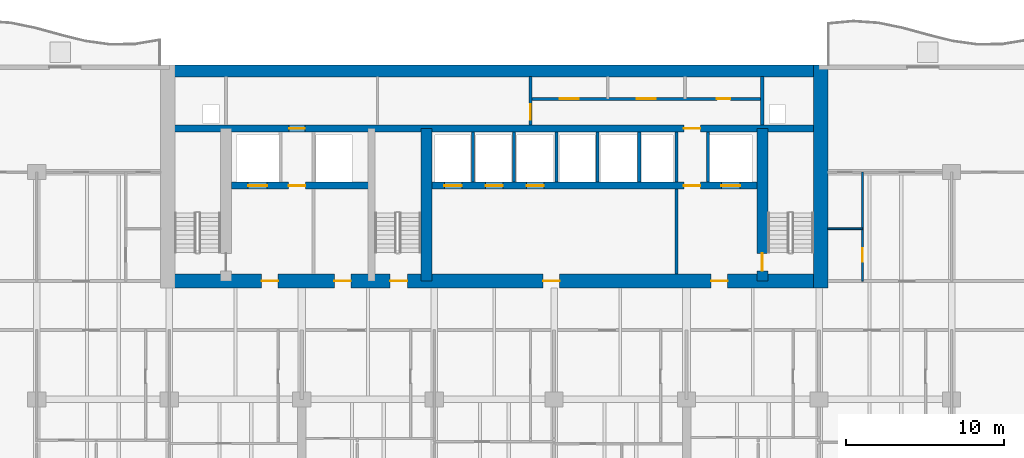
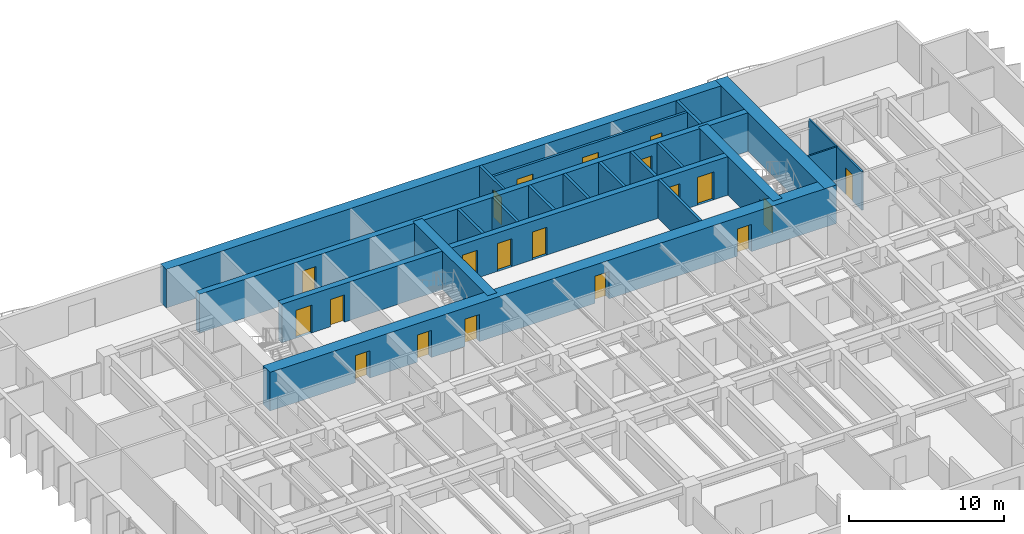
# One storey, part 11 of 17: 20 doors, 20 walls, 20 openings.
"""IFC4 building model written with IfcOpenShell, lengths in metres."""

from ifc_helpers import new_model, si_unit, direction, frame, frame_2d, origin, place, context, subcontext, project, spatial, rectangle, extrude, material, layer, layer_set, type_object, element, fill, save


model = new_model("IFC4")

# Units and contexts
model_context = context("Model", 3, precision=1e-05, world=origin(), true_north=direction((0.0, 1.0)))
body_context = subcontext(model_context, "Body", "Model", "MODEL_VIEW")
ifc_project = project(units=[si_unit("LENGTHUNIT", "METRE"), si_unit("AREAUNIT", "SQUARE_METRE"), si_unit("VOLUMEUNIT", "CUBIC_METRE"), si_unit("PLANEANGLEUNIT", "RADIAN"), si_unit("MASSUNIT", "GRAM", prefix="KILO")], contexts=[model_context])

# Site, building, storey
site_placement = place(None, origin())
site = spatial("IfcSite", under=ifc_project, at=site_placement, CompositionType="ELEMENT")
building_placement = place(site_placement, origin())
building = spatial("IfcBuilding", under=site, at=building_placement, Name="Caelmar Bay Residences", CompositionType="ELEMENT")
storey_placement = place(building_placement, frame((0.0, 0.0, 59.699951171875)))
storey = spatial("IfcBuildingStorey", under=building, at=storey_placement, Name="L15", CompositionType="ELEMENT", Elevation=59.699951171875)

# Wall, opening, door
ifc_material_1 = material(Name="Concrete f'c 55 MPa (8,000 psi)", Category="concrete")
ifc_layer_1 = layer(ifc_material_1, 0.699951171875)
ifc_layer_set_1 = layer_set([ifc_layer_1], Name="Concrete f'c 55 MPa (8,000 psi)")
wall_type_1 = type_object("IfcWallType", Name="SW-COR-700", PredefinedType="SHEAR", material=ifc_layer_set_1)
wall_1_placement = place(storey_placement, frame((55.89990234375, 36.89990234375, 0.0), z_axis=(0.0, 0.0, 1.0), x_axis=(0.0, 1.0, 0.0)))
wall_1 = element("IfcWall", 1, at=wall_1_placement, inside=storey, type_object=wall_type_1, Name="L15 Core Structural Web Wall ST2W", PredefinedType="SHEAR", context=body_context, shape_type="SweptSolid", body=[
    extrude(rectangle(XDim=9.675048828125, YDim=0.699951171875, at=frame_2d((4.83740234375, 0.0))), origin(), (0.0, 0.0, 1.0), 3.050048828125),
])
opening_1_placement = place(wall_1_placement, frame((0.64990234375, 0.0, 0.0)))
opening_1 = element("IfcOpeningElement", 2, at=opening_1_placement, cuts=wall_1, Name="Opening D-L15-111", PredefinedType="OPENING", context=body_context, shape_type="SweptSolid", body=[
    extrude(rectangle(XDim=1.10009765625, YDim=2.14990234375, at=frame_2d((0.550048828125, 1.074951171875))), frame((0.0, 0.35986328125, 0.0), z_axis=(0.0, -1.0, 0.0), x_axis=(1.0, 0.0, 0.0)), (0.0, 0.0, 1.0), 0.719970703125),
])
ifc_material_2 = material(Name="Fire-rated steel and walnut architectural door assembly", Category="steel")
ifc_layer_2 = layer(ifc_material_2, 0.050048828125)
ifc_layer_set_2 = layer_set([ifc_layer_2], Name="Fire-rated steel and walnut architectural door assembly")
door_type_1 = type_object("IfcDoorType", Name="D-STAIR-1100", OperationType="NOTDEFINED", PredefinedType="DOOR", material=ifc_layer_set_2)
door_1_placement = place(opening_1_placement, origin())
door_1 = element("IfcDoor", 3, at=door_1_placement, inside=storey, type_object=door_type_1, Name="L15 Firefighting Lobby East Door", OperationType="SINGLE_SWING_RIGHT", OverallHeight=2.14990234375, OverallWidth=1.10009765625, PredefinedType="DOOR", context=body_context, shape_type="SweptSolid", body=[
    extrude(rectangle(XDim=1.10009765625, YDim=2.14990234375, at=frame_2d((0.550048828125, 1.074951171875))), frame((0.0, 0.02490234375, 0.0), z_axis=(0.0, -1.0, 0.0), x_axis=(1.0, 0.0, 0.0)), (0.0, 0.0, 1.0), 0.050048828125),
])
fill(opening_1, door_1)

# Wall
wall_2_placement = place(storey_placement, frame((34.60009765625, 36.89990234375, 0.0), z_axis=(0.0, 0.0, 1.0), x_axis=(0.0, 1.0, 0.0)))
element("IfcWall", 4, at=wall_2_placement, inside=storey, type_object=wall_type_1, Name="L15 Core Structural Web Wall ST3E", PredefinedType="SHEAR", context=body_context, shape_type="SweptSolid", body=[
    extrude(rectangle(XDim=9.675048828125, YDim=0.699951171875, at=frame_2d((4.83740234375, 0.0))), origin(), (0.0, 0.0, 1.0), 3.050048828125),
])

# Wall, openings, doors
ifc_material_3 = material(Name="Concrete f'c 70 MPa (10,000 psi)", Category="concrete")
ifc_layer_3 = layer(ifc_material_3, 0.89990234375)
ifc_layer_set_3 = layer_set([ifc_layer_3], Name="Concrete f'c 70 MPa (10,000 psi)")
wall_type_2 = type_object("IfcWallType", Name="SW-COR-900", PredefinedType="SHEAR", material=ifc_layer_set_3)
wall_3_placement = place(storey_placement, frame((17.75, 36.89990234375, 0.0), z_axis=(0.0, 0.0, 1.0), x_axis=(1.0, 0.0, 0.0)))
wall_3 = element("IfcWall", 5, at=wall_3_placement, inside=storey, type_object=wall_type_2, Name="L15 Rear Core South Shear Wall", PredefinedType="SHEAR", context=body_context, shape_type="SweptSolid", body=[
    extrude(rectangle(XDim=42.300048828125, YDim=0.89990234375, at=frame_2d((21.14990234375, 0.0))), origin(), (0.0, 0.0, 1.0), 3.050048828125),
])
opening_2_placement = place(wall_3_placement, frame((14.550048828125, 0.0, 0.0)))
opening_2 = element("IfcOpeningElement", 6, at=opening_2_placement, cuts=wall_3, Name="Opening D-L15-106", PredefinedType="OPENING", context=body_context, shape_type="SweptSolid", body=[
    extrude(rectangle(XDim=1.10009765625, YDim=2.14990234375, at=frame_2d((0.550048828125, 1.074951171875))), frame((0.0, 0.4599609375, 0.0), z_axis=(0.0, -1.0, 0.0), x_axis=(1.0, 0.0, 0.0)), (0.0, 0.0, 1.0), 0.919921875),
])
opening_3_placement = place(wall_3_placement, frame((6.39990234375, 0.0, 0.0)))
opening_3 = element("IfcOpeningElement", 7, at=opening_3_placement, cuts=wall_3, Name="Opening D-L15-107", PredefinedType="OPENING", context=body_context, shape_type="SweptSolid", body=[
    extrude(rectangle(XDim=1.050048828125, YDim=2.14990234375, at=frame_2d((0.52490234375, 1.074951171875))), frame((0.0, 0.4599609375, 0.0), z_axis=(0.0, -1.0, 0.0), x_axis=(1.0, 0.0, 0.0)), (0.0, 0.0, 1.0), 0.919921875),
])
opening_4_placement = place(wall_3_placement, frame((34.89990234375, 0.0, 0.0)))
opening_4 = element("IfcOpeningElement", 8, at=opening_4_placement, cuts=wall_3, Name="Opening D-L15-110", PredefinedType="OPENING", context=body_context, shape_type="SweptSolid", body=[
    extrude(rectangle(XDim=1.050048828125, YDim=2.14990234375, at=frame_2d((0.52490234375, 1.074951171875))), frame((0.0, 0.4599609375, 0.0), z_axis=(0.0, -1.0, 0.0), x_axis=(1.0, 0.0, 0.0)), (0.0, 0.0, 1.0), 0.919921875),
])
opening_5_placement = place(wall_3_placement, frame((11.012451171875, 0.0, 0.0)))
opening_5 = element("IfcOpeningElement", 9, at=opening_5_placement, cuts=wall_3, Name="Opening D-L15-113", PredefinedType="OPENING", context=body_context, shape_type="SweptSolid", body=[
    extrude(rectangle(XDim=1.050048828125, YDim=2.14990234375, at=frame_2d((0.52490234375, 1.074951171875))), frame((0.0, 0.4599609375, 0.0), z_axis=(0.0, -1.0, 0.0), x_axis=(1.0, 0.0, 0.0)), (0.0, 0.0, 1.0), 0.919921875),
])
opening_6_placement = place(wall_3_placement, frame((24.25, 0.0, 0.0)))
opening_6 = element("IfcOpeningElement", 10, at=opening_6_placement, cuts=wall_3, Name="Opening D-L15-114", PredefinedType="OPENING", context=body_context, shape_type="SweptSolid", body=[
    extrude(rectangle(XDim=1.050048828125, YDim=2.14990234375, at=frame_2d((0.52490234375, 1.074951171875))), frame((0.0, 0.4599609375, 0.0), z_axis=(0.0, -1.0, 0.0), x_axis=(1.0, 0.0, 0.0)), (0.0, 0.0, 1.0), 0.919921875),
])
ifc_layer_4 = layer(ifc_material_2, 0.050048828125)
ifc_layer_set_4 = layer_set([ifc_layer_4], Name="Fire-rated steel and walnut architectural door assembly")
door_type_2 = type_object("IfcDoorType", Name="D-FSAE-1050", OperationType="NOTDEFINED", PredefinedType="DOOR", material=ifc_layer_set_4)
door_2_placement = place(opening_3_placement, origin())
door_2 = element("IfcDoor", 11, at=door_2_placement, inside=storey, type_object=door_type_2, Name="L15 Firefighting Lobby West Door", OperationType="SINGLE_SWING_RIGHT", OverallHeight=2.14990234375, OverallWidth=1.050048828125, PredefinedType="DOOR", context=body_context, shape_type="SweptSolid", body=[
    extrude(rectangle(XDim=1.050048828125, YDim=2.14990234375, at=frame_2d((0.52490234375, 1.074951171875))), frame((0.0, 0.02490234375, 0.0), z_axis=(0.0, -1.0, 0.0), x_axis=(1.0, 0.0, 0.0)), (0.0, 0.0, 1.0), 0.050048828125),
])
fill(opening_3, door_2)
door_3_placement = place(opening_4_placement, origin())
door_3 = element("IfcDoor", 12, at=door_3_placement, inside=storey, type_object=door_type_2, Name="L15 Firefighting Lobby East Door", OperationType="SINGLE_SWING_LEFT", OverallHeight=2.14990234375, OverallWidth=1.050048828125, PredefinedType="DOOR", context=body_context, shape_type="SweptSolid", body=[
    extrude(rectangle(XDim=1.050048828125, YDim=2.14990234375, at=frame_2d((0.52490234375, 1.074951171875))), frame((0.0, 0.02490234375, 0.0), z_axis=(0.0, -1.0, 0.0), x_axis=(1.0, 0.0, 0.0)), (0.0, 0.0, 1.0), 0.050048828125),
])
fill(opening_4, door_3)
door_4_placement = place(opening_5_placement, origin())
door_4 = element("IfcDoor", 13, at=door_4_placement, inside=storey, type_object=door_type_2, Name="L15 West Lift Lobby Door", OperationType="SINGLE_SWING_RIGHT", OverallHeight=2.14990234375, OverallWidth=1.050048828125, PredefinedType="DOOR", context=body_context, shape_type="SweptSolid", body=[
    extrude(rectangle(XDim=1.050048828125, YDim=2.14990234375, at=frame_2d((0.52490234375, 1.074951171875))), frame((0.0, 0.02490234375, 0.0), z_axis=(0.0, -1.0, 0.0), x_axis=(1.0, 0.0, 0.0)), (0.0, 0.0, 1.0), 0.050048828125),
])
fill(opening_5, door_4)
door_5_placement = place(opening_6_placement, origin())
door_5 = element("IfcDoor", 14, at=door_5_placement, inside=storey, type_object=door_type_2, Name="L15 Passenger Lift Lobby Door", OperationType="SINGLE_SWING_LEFT", OverallHeight=2.14990234375, OverallWidth=1.050048828125, PredefinedType="DOOR", context=body_context, shape_type="SweptSolid", body=[
    extrude(rectangle(XDim=1.050048828125, YDim=2.14990234375, at=frame_2d((0.52490234375, 1.074951171875))), frame((0.0, 0.02490234375, 0.0), z_axis=(0.0, -1.0, 0.0), x_axis=(1.0, 0.0, 0.0)), (0.0, 0.0, 1.0), 0.050048828125),
])
fill(opening_6, door_5)
door_6_placement = place(opening_2_placement, origin())
door_6 = element("IfcDoor", 15, at=door_6_placement, inside=storey, type_object=door_type_1, Name="L15 Exit Stair ST3 Door", OperationType="SINGLE_SWING_LEFT", OverallHeight=2.14990234375, OverallWidth=1.10009765625, PredefinedType="DOOR", context=body_context, shape_type="SweptSolid", body=[
    extrude(rectangle(XDim=1.10009765625, YDim=2.14990234375, at=frame_2d((0.550048828125, 1.074951171875))), frame((0.0, 0.02490234375, 0.0), z_axis=(0.0, -1.0, 0.0), x_axis=(1.0, 0.0, 0.0)), (0.0, 0.0, 1.0), 0.050048828125),
])
fill(opening_2, door_6)

# Walls
wall_4_placement = place(storey_placement, frame((59.60009765625, 36.449951171875, 0.0), z_axis=(0.0, 0.0, 1.0), x_axis=(0.0, 1.0, 0.0)))
element("IfcWall", 16, at=wall_4_placement, inside=storey, type_object=wall_type_2, Name="L15 Rear Core East Shear Wall", PredefinedType="SHEAR", context=body_context, shape_type="SweptSolid", body=[
    extrude(rectangle(XDim=14.150146484375, YDim=0.89990234375, at=frame_2d((7.0751953125, 0.0))), origin(), (0.0, 0.0, 1.0), 3.050048828125),
])
ifc_layer_5 = layer(ifc_material_3, 0.75)
ifc_layer_set_5 = layer_set([ifc_layer_5], Name="Concrete f'c 70 MPa (10,000 psi)")
wall_type_3 = type_object("IfcWallType", Name="SW-CORN-750", PredefinedType="SHEAR", material=ifc_layer_set_5)
wall_5_placement = place(storey_placement, frame((17.75, 50.22509765625, 0.0), z_axis=(0.0, 0.0, 1.0), x_axis=(1.0, 0.0, 0.0)))
element("IfcWall", 17, at=wall_5_placement, inside=storey, type_object=wall_type_3, Name="L15 Rear Core North Shear Wall", PredefinedType="SHEAR", context=body_context, shape_type="SweptSolid", body=[
    extrude(rectangle(XDim=42.300048828125, YDim=0.75, at=frame_2d((21.14990234375, 0.0))), origin(), (0.0, 0.0, 1.0), 3.050048828125),
])

# Wall, openings, doors
ifc_layer_6 = layer(ifc_material_3, 0.449951171875)
ifc_layer_set_6 = layer_set([ifc_layer_6], Name="Concrete f'c 70 MPa (10,000 psi)")
wall_type_4 = type_object("IfcWallType", Name="SW-WEB-450", PredefinedType="SHEAR", material=ifc_layer_set_6)
wall_6_placement = place(storey_placement, frame((22.25, 42.949951171875, 0.0), z_axis=(0.0, 0.0, 1.0), x_axis=(1.0, 0.0, 0.0)))
wall_6 = element("IfcWall", 18, at=wall_6_placement, inside=storey, type_object=wall_type_4, Name="L15 Core Structural Web Wall LFR", PredefinedType="SHEAR", context=body_context, shape_type="SweptSolid", body=[
    extrude(rectangle(XDim=33.300048828125, YDim=0.449951171875, at=frame_2d((16.64990234375, 0.0))), origin(), (0.0, 0.0, 1.0), 3.050048828125),
])
opening_7_placement = place(wall_6_placement, frame((1.050048828125, 0.0, 0.0)))
opening_7 = element("IfcOpeningElement", 19, at=opening_7_placement, cuts=wall_6, Name="Opening LD2", PredefinedType="OPENING", context=body_context, shape_type="SweptSolid", body=[
    extrude(rectangle(XDim=1.199951171875, YDim=2.199951171875, at=frame_2d((0.60009765625, 1.10009765625))), frame((0.0, 0.23486328125, 0.0), z_axis=(0.0, -1.0, 0.0), x_axis=(1.0, 0.0, 0.0)), (0.0, 0.0, 1.0), 0.469970703125),
])
opening_8_placement = place(wall_6_placement, frame((31.050048828125, 0.0, 0.0)))
opening_8 = element("IfcOpeningElement", 20, at=opening_8_placement, cuts=wall_6, Name="Opening LD2", PredefinedType="OPENING", context=body_context, shape_type="SweptSolid", body=[
    extrude(rectangle(XDim=1.199951171875, YDim=2.199951171875, at=frame_2d((0.60009765625, 1.10009765625))), frame((0.0, 0.23486328125, 0.0), z_axis=(0.0, -1.0, 0.0), x_axis=(1.0, 0.0, 0.0)), (0.0, 0.0, 1.0), 0.469970703125),
])
opening_9_placement = place(wall_6_placement, frame((13.5, 0.0, 0.0)))
opening_9 = element("IfcOpeningElement", 21, at=opening_9_placement, cuts=wall_6, Name="Opening LD1", PredefinedType="OPENING", context=body_context, shape_type="SweptSolid", body=[
    extrude(rectangle(XDim=1.10009765625, YDim=2.199951171875, at=frame_2d((0.550048828125, 1.10009765625))), frame((0.0, 0.23486328125, 0.0), z_axis=(0.0, -1.0, 0.0), x_axis=(1.0, 0.0, 0.0)), (0.0, 0.0, 1.0), 0.469970703125),
])
opening_10_placement = place(wall_6_placement, frame((16.10009765625, 0.0, 0.0)))
opening_10 = element("IfcOpeningElement", 22, at=opening_10_placement, cuts=wall_6, Name="Opening LD1", PredefinedType="OPENING", context=body_context, shape_type="SweptSolid", body=[
    extrude(rectangle(XDim=1.10009765625, YDim=2.199951171875, at=frame_2d((0.550048828125, 1.10009765625))), frame((0.0, 0.23486328125, 0.0), z_axis=(0.0, -1.0, 0.0), x_axis=(1.0, 0.0, 0.0)), (0.0, 0.0, 1.0), 0.469970703125),
])
opening_11_placement = place(wall_6_placement, frame((18.699951171875, 0.0, 0.0)))
opening_11 = element("IfcOpeningElement", 23, at=opening_11_placement, cuts=wall_6, Name="Opening LD1", PredefinedType="OPENING", context=body_context, shape_type="SweptSolid", body=[
    extrude(rectangle(XDim=1.10009765625, YDim=2.199951171875, at=frame_2d((0.550048828125, 1.10009765625))), frame((0.0, 0.23486328125, 0.0), z_axis=(0.0, -1.0, 0.0), x_axis=(1.0, 0.0, 0.0)), (0.0, 0.0, 1.0), 0.469970703125),
])
opening_12_placement = place(wall_6_placement, frame((3.625, 0.0, 0.0)))
opening_12 = element("IfcOpeningElement", 24, at=opening_12_placement, cuts=wall_6, Name="Opening D-L15-109", PredefinedType="OPENING", context=body_context, shape_type="SweptSolid", body=[
    extrude(rectangle(XDim=1.050048828125, YDim=2.14990234375, at=frame_2d((0.52490234375, 1.074951171875))), frame((0.0, 0.23486328125, 0.0), z_axis=(0.0, -1.0, 0.0), x_axis=(1.0, 0.0, 0.0)), (0.0, 0.0, 1.0), 0.469970703125),
])
opening_13_placement = place(wall_6_placement, frame((28.675048828125, 0.0, 0.0)))
opening_13 = element("IfcOpeningElement", 25, at=opening_13_placement, cuts=wall_6, Name="Opening D-L15-112", PredefinedType="OPENING", context=body_context, shape_type="SweptSolid", body=[
    extrude(rectangle(XDim=1.050048828125, YDim=2.14990234375, at=frame_2d((0.52490234375, 1.074951171875))), frame((0.0, 0.23486328125, 0.0), z_axis=(0.0, -1.0, 0.0), x_axis=(1.0, 0.0, 0.0)), (0.0, 0.0, 1.0), 0.469970703125),
])
door_7_placement = place(opening_12_placement, origin())
door_7 = element("IfcDoor", 26, at=door_7_placement, inside=storey, type_object=door_type_2, Name="L15 Firefighting Lobby West Door", OperationType="SINGLE_SWING_RIGHT", OverallHeight=2.14990234375, OverallWidth=1.050048828125, PredefinedType="DOOR", context=body_context, shape_type="SweptSolid", body=[
    extrude(rectangle(XDim=1.050048828125, YDim=2.14990234375, at=frame_2d((0.52490234375, 1.074951171875))), frame((0.0, 0.02490234375, 0.0), z_axis=(0.0, -1.0, 0.0), x_axis=(1.0, 0.0, 0.0)), (0.0, 0.0, 1.0), 0.050048828125),
])
fill(opening_12, door_7)
door_8_placement = place(opening_13_placement, origin())
door_8 = element("IfcDoor", 27, at=door_8_placement, inside=storey, type_object=door_type_2, Name="L15 Firefighting Lobby East Door", OperationType="SINGLE_SWING_LEFT", OverallHeight=2.14990234375, OverallWidth=1.050048828125, PredefinedType="DOOR", context=body_context, shape_type="SweptSolid", body=[
    extrude(rectangle(XDim=1.050048828125, YDim=2.14990234375, at=frame_2d((0.52490234375, 1.074951171875))), frame((0.0, 0.02490234375, 0.0), z_axis=(0.0, -1.0, 0.0), x_axis=(1.0, 0.0, 0.0)), (0.0, 0.0, 1.0), 0.050048828125),
])
fill(opening_13, door_8)
ifc_material_4 = material(Name="Brushed bronze stainless-steel fire-rated lift landing doors", Category="steel")
ifc_layer_7 = layer(ifc_material_4, 0.050048828125)
ifc_layer_set_7 = layer_set([ifc_layer_7], Name="Brushed bronze stainless-steel fire-rated lift landing doors")
door_type_3 = type_object("IfcDoorType", Name="D-LND-1100", OperationType="DOUBLE_DOOR_SLIDING", PredefinedType="DOOR", material=ifc_layer_set_7)
door_9_placement = place(opening_9_placement, origin())
door_9 = element("IfcDoor", 28, at=door_9_placement, inside=storey, type_object=door_type_3, Name="L15 LP1 Sliding Landing Door", OperationType="DOUBLE_DOOR_SLIDING", OverallHeight=2.199951171875, OverallWidth=1.10009765625, PredefinedType="DOOR", context=body_context, shape_type="SweptSolid", body=[
    extrude(rectangle(XDim=1.10009765625, YDim=2.199951171875, at=frame_2d((0.550048828125, 1.10009765625))), frame((0.0, 0.02490234375, 0.0), z_axis=(0.0, -1.0, 0.0), x_axis=(1.0, 0.0, 0.0)), (0.0, 0.0, 1.0), 0.050048828125),
])
fill(opening_9, door_9)
door_10_placement = place(opening_10_placement, origin())
door_10 = element("IfcDoor", 29, at=door_10_placement, inside=storey, type_object=door_type_3, Name="L15 LP2 Sliding Landing Door", OperationType="DOUBLE_DOOR_SLIDING", OverallHeight=2.199951171875, OverallWidth=1.10009765625, PredefinedType="DOOR", context=body_context, shape_type="SweptSolid", body=[
    extrude(rectangle(XDim=1.10009765625, YDim=2.199951171875, at=frame_2d((0.550048828125, 1.10009765625))), frame((0.0, 0.02490234375, 0.0), z_axis=(0.0, -1.0, 0.0), x_axis=(1.0, 0.0, 0.0)), (0.0, 0.0, 1.0), 0.050048828125),
])
fill(opening_10, door_10)
door_11_placement = place(opening_11_placement, origin())
door_11 = element("IfcDoor", 30, at=door_11_placement, inside=storey, type_object=door_type_3, Name="L15 LP3 Sliding Landing Door", OperationType="DOUBLE_DOOR_SLIDING", OverallHeight=2.199951171875, OverallWidth=1.10009765625, PredefinedType="DOOR", context=body_context, shape_type="SweptSolid", body=[
    extrude(rectangle(XDim=1.10009765625, YDim=2.199951171875, at=frame_2d((0.550048828125, 1.10009765625))), frame((0.0, 0.02490234375, 0.0), z_axis=(0.0, -1.0, 0.0), x_axis=(1.0, 0.0, 0.0)), (0.0, 0.0, 1.0), 0.050048828125),
])
fill(opening_11, door_11)
ifc_material_5 = material(Name="Brushed stainless-steel FSAE sliding landing door", Category="steel")
ifc_layer_8 = layer(ifc_material_5, 0.050048828125)
ifc_layer_set_8 = layer_set([ifc_layer_8], Name="Brushed stainless-steel FSAE sliding landing door")
door_type_4 = type_object("IfcDoorType", Name="D-LND-1200", OperationType="DOUBLE_DOOR_SLIDING", PredefinedType="DOOR", material=ifc_layer_set_8)
door_12_placement = place(opening_7_placement, origin())
door_12 = element("IfcDoor", 31, at=door_12_placement, inside=storey, type_object=door_type_4, Name="L15 LF1 Sliding Landing Door", OperationType="DOUBLE_DOOR_SLIDING", OverallHeight=2.199951171875, OverallWidth=1.199951171875, PredefinedType="DOOR", context=body_context, shape_type="SweptSolid", body=[
    extrude(rectangle(XDim=1.199951171875, YDim=2.199951171875, at=frame_2d((0.60009765625, 1.10009765625))), frame((0.0, 0.02490234375, 0.0), z_axis=(0.0, -1.0, 0.0), x_axis=(1.0, 0.0, 0.0)), (0.0, 0.0, 1.0), 0.050048828125),
])
fill(opening_7, door_12)
door_13_placement = place(opening_8_placement, origin())
door_13 = element("IfcDoor", 32, at=door_13_placement, inside=storey, type_object=door_type_4, Name="L15 LF2 Sliding Landing Door", OperationType="DOUBLE_DOOR_SLIDING", OverallHeight=2.199951171875, OverallWidth=1.199951171875, PredefinedType="DOOR", context=body_context, shape_type="SweptSolid", body=[
    extrude(rectangle(XDim=1.199951171875, YDim=2.199951171875, at=frame_2d((0.60009765625, 1.10009765625))), frame((0.0, 0.02490234375, 0.0), z_axis=(0.0, -1.0, 0.0), x_axis=(1.0, 0.0, 0.0)), (0.0, 0.0, 1.0), 0.050048828125),
])
fill(opening_8, door_13)

wall_7_placement = place(storey_placement, frame((18.199951171875, 46.574951171875, 0.0), z_axis=(0.0, 0.0, 1.0), x_axis=(1.0, 0.0, 0.0)))
wall_7 = element("IfcWall", 33, at=wall_7_placement, inside=storey, type_object=wall_type_4, Name="L15 Core Structural Web Wall SRVS", PredefinedType="SHEAR", context=body_context, shape_type="SweptSolid", body=[
    extrude(rectangle(XDim=41.400146484375, YDim=0.449951171875, at=frame_2d((20.7001953125, 0.0))), origin(), (0.0, 0.0, 1.0), 3.050048828125),
])
opening_14_placement = place(wall_7_placement, frame((7.699951171875, 0.0, 0.0)))
opening_14 = element("IfcOpeningElement", 34, at=opening_14_placement, cuts=wall_7, Name="Opening D-L15-115", PredefinedType="OPENING", context=body_context, shape_type="SweptSolid", body=[
    extrude(rectangle(XDim=1.0, YDim=2.199951171875, at=frame_2d((0.5, 1.10009765625))), frame((0.0, 0.23486328125, 0.0), z_axis=(0.0, -1.0, 0.0), x_axis=(1.0, 0.0, 0.0)), (0.0, 0.0, 1.0), 0.469970703125),
])
opening_15_placement = place(wall_7_placement, frame((32.72509765625, 0.0, 0.0)))
opening_15 = element("IfcOpeningElement", 35, at=opening_15_placement, cuts=wall_7, Name="Opening D-L15-116", PredefinedType="OPENING", context=body_context, shape_type="SweptSolid", body=[
    extrude(rectangle(XDim=1.050048828125, YDim=2.14990234375, at=frame_2d((0.52490234375, 1.074951171875))), frame((0.0, 0.23486328125, 0.0), z_axis=(0.0, -1.0, 0.0), x_axis=(1.0, 0.0, 0.0)), (0.0, 0.0, 1.0), 0.469970703125),
])
door_14_placement = place(opening_15_placement, origin())
door_14 = element("IfcDoor", 36, at=door_14_placement, inside=storey, type_object=door_type_2, Name="L15 East Core Service Corridor Door", OperationType="SINGLE_SWING_LEFT", OverallHeight=2.14990234375, OverallWidth=1.050048828125, PredefinedType="DOOR", context=body_context, shape_type="SweptSolid", body=[
    extrude(rectangle(XDim=1.050048828125, YDim=2.14990234375, at=frame_2d((0.52490234375, 1.074951171875))), frame((0.0, 0.02490234375, 0.0), z_axis=(0.0, -1.0, 0.0), x_axis=(1.0, 0.0, 0.0)), (0.0, 0.0, 1.0), 0.050048828125),
])
fill(opening_15, door_14)
ifc_layer_9 = layer(ifc_material_2, 0.050048828125)
ifc_layer_set_9 = layer_set([ifc_layer_9], Name="Fire-rated steel and walnut architectural door assembly")
door_type_5 = type_object("IfcDoorType", Name="D-UNIT-1000", OperationType="NOTDEFINED", PredefinedType="DOOR", material=ifc_layer_set_9)
door_15_placement = place(opening_14_placement, origin())
door_15 = element("IfcDoor", 37, at=door_15_placement, inside=storey, type_object=door_type_5, Name="L15 Package Concierge Office Door", OperationType="SINGLE_SWING_RIGHT", OverallHeight=2.199951171875, OverallWidth=1.0, PredefinedType="DOOR", context=body_context, shape_type="SweptSolid", body=[
    extrude(rectangle(XDim=1.0, YDim=2.199951171875, at=frame_2d((0.5, 1.10009765625))), frame((0.0, 0.02490234375, 0.0), z_axis=(0.0, -1.0, 0.0), x_axis=(1.0, 0.0, 0.0)), (0.0, 0.0, 1.0), 0.050048828125),
])
fill(opening_14, door_15)

# Wall, opening, door
ifc_material_6 = material(Name="Double-stud acoustic fire-rated gypsum partition 180 mm")
ifc_layer_10 = layer(ifc_material_6, 0.179931640625)
ifc_layer_set_10 = layer_set([ifc_layer_10], Name="Double-stud acoustic fire-rated gypsum partition 180 mm")
wall_type_5 = type_object("IfcWallType", Name="W-COR-200", PredefinedType="PARTITIONING", material=ifc_layer_set_10)
wall_8_placement = place(storey_placement, frame((41.199951171875, 46.794921875, 0.0), z_axis=(0.0, 0.0, 1.0), x_axis=(0.0, 1.0, 0.0)))
wall_8 = element("IfcWall", 38, at=wall_8_placement, inside=storey, type_object=wall_type_5, Name="L15 Partition Wall V046", PredefinedType="PARTITIONING", context=body_context, shape_type="SweptSolid", body=[
    extrude(rectangle(XDim=3.06005859375, YDim=0.179931640625, at=frame_2d((1.530029296875, 0.0))), origin(), (0.0, 0.0, 1.0), 3.050048828125),
])
opening_16_placement = place(wall_8_placement, frame((0.327392578125, 0.0, 0.0)))
opening_16 = element("IfcOpeningElement", 39, at=opening_16_placement, cuts=wall_8, Name="Opening D-L15-117", PredefinedType="OPENING", context=body_context, shape_type="SweptSolid", body=[
    extrude(rectangle(XDim=1.0, YDim=2.199951171875, at=frame_2d((0.5, 1.10009765625))), frame((0.0, 0.099853515625, 0.0), z_axis=(0.0, -1.0, 0.0), x_axis=(1.0, 0.0, 0.0)), (0.0, 0.0, 1.0), 0.199951171875),
])
door_16_placement = place(opening_16_placement, origin())
door_16 = element("IfcDoor", 40, at=door_16_placement, inside=storey, type_object=door_type_5, Name="L15 Engineering Control Office Door", OperationType="SINGLE_SWING_RIGHT", OverallHeight=2.199951171875, OverallWidth=1.0, PredefinedType="DOOR", context=body_context, shape_type="SweptSolid", body=[
    extrude(rectangle(XDim=1.0, YDim=2.199951171875, at=frame_2d((0.5, 1.10009765625))), frame((0.0, 0.02490234375, 0.0), z_axis=(0.0, -1.0, 0.0), x_axis=(1.0, 0.0, 0.0)), (0.0, 0.0, 1.0), 0.050048828125),
])
fill(opening_16, door_16)

# Wall, openings, doors
wall_9_placement = place(storey_placement, frame((41.199951171875, 48.449951171875, 0.0), z_axis=(0.0, 0.0, 1.0), x_axis=(1.0, 0.0, 0.0)))
wall_9 = element("IfcWall", 41, at=wall_9_placement, inside=storey, type_object=wall_type_5, Name="L15 Partition Wall H128", PredefinedType="PARTITIONING", context=body_context, shape_type="SweptSolid", body=[
    extrude(rectangle(XDim=14.699951171875, YDim=0.179931640625, at=frame_2d((7.35009765625, 0.0))), origin(), (0.0, 0.0, 1.0), 3.050048828125),
])
opening_17_placement = place(wall_9_placement, frame((1.85009765625, 0.0, 0.0)))
opening_17 = element("IfcOpeningElement", 42, at=opening_17_placement, cuts=wall_9, Name="Opening D-L15-118", PredefinedType="OPENING", context=body_context, shape_type="SweptSolid", body=[
    extrude(rectangle(XDim=1.199951171875, YDim=2.199951171875, at=frame_2d((0.60009765625, 1.10009765625))), frame((0.0, 0.099853515625, 0.0), z_axis=(0.0, -1.0, 0.0), x_axis=(1.0, 0.0, 0.0)), (0.0, 0.0, 1.0), 0.199951171875),
])
opening_18_placement = place(wall_9_placement, frame((6.75, 0.0, 0.0)))
opening_18 = element("IfcOpeningElement", 43, at=opening_18_placement, cuts=wall_9, Name="Opening D-L15-119", PredefinedType="OPENING", context=body_context, shape_type="SweptSolid", body=[
    extrude(rectangle(XDim=1.199951171875, YDim=2.199951171875, at=frame_2d((0.60009765625, 1.10009765625))), frame((0.0, 0.099853515625, 0.0), z_axis=(0.0, -1.0, 0.0), x_axis=(1.0, 0.0, 0.0)), (0.0, 0.0, 1.0), 0.199951171875),
])
opening_19_placement = place(wall_9_placement, frame((11.824951171875, 0.0, 0.0)))
opening_19 = element("IfcOpeningElement", 44, at=opening_19_placement, cuts=wall_9, Name="Opening D-L15-120", PredefinedType="OPENING", context=body_context, shape_type="SweptSolid", body=[
    extrude(rectangle(XDim=0.85009765625, YDim=2.10009765625, at=frame_2d((0.425048828125, 1.050048828125))), frame((0.0, 0.099853515625, 0.0), z_axis=(0.0, -1.0, 0.0), x_axis=(1.0, 0.0, 0.0)), (0.0, 0.0, 1.0), 0.199951171875),
])
ifc_layer_11 = layer(ifc_material_2, 0.050048828125)
ifc_layer_set_11 = layer_set([ifc_layer_11], Name="Fire-rated steel and walnut architectural door assembly")
door_type_6 = type_object("IfcDoorType", Name="D-CORE-850", OperationType="NOTDEFINED", PredefinedType="DOOR", material=ifc_layer_set_11)
door_17_placement = place(opening_19_placement, origin())
door_17 = element("IfcDoor", 45, at=door_17_placement, inside=storey, type_object=door_type_6, Name="L15 Accessible Staff WC Door", OperationType="SINGLE_SWING_LEFT", OverallHeight=2.10009765625, OverallWidth=0.85009765625, PredefinedType="DOOR", context=body_context, shape_type="SweptSolid", body=[
    extrude(rectangle(XDim=0.85009765625, YDim=2.10009765625, at=frame_2d((0.425048828125, 1.050048828125))), frame((0.0, 0.02490234375, 0.0), z_axis=(0.0, -1.0, 0.0), x_axis=(1.0, 0.0, 0.0)), (0.0, 0.0, 1.0), 0.050048828125),
])
fill(opening_19, door_17)
ifc_layer_12 = layer(ifc_material_2, 0.050048828125)
ifc_layer_set_12 = layer_set([ifc_layer_12], Name="Fire-rated steel and walnut architectural door assembly")
door_type_7 = type_object("IfcDoorType", Name="D-PLANT-1200", OperationType="NOTDEFINED", PredefinedType="DOOR", material=ifc_layer_set_12)
door_18_placement = place(opening_17_placement, origin())
door_18 = element("IfcDoor", 46, at=door_18_placement, inside=storey, type_object=door_type_7, Name="L15 Electrical Closet Door", OperationType="SINGLE_SWING_LEFT", OverallHeight=2.199951171875, OverallWidth=1.199951171875, PredefinedType="DOOR", context=body_context, shape_type="SweptSolid", body=[
    extrude(rectangle(XDim=1.199951171875, YDim=2.199951171875, at=frame_2d((0.60009765625, 1.10009765625))), frame((0.0, 0.02490234375, 0.0), z_axis=(0.0, -1.0, 0.0), x_axis=(1.0, 0.0, 0.0)), (0.0, 0.0, 1.0), 0.050048828125),
])
fill(opening_17, door_18)
door_19_placement = place(opening_18_placement, origin())
door_19 = element("IfcDoor", 47, at=door_19_placement, inside=storey, type_object=door_type_7, Name="L15 Housekeeping Linen Closet Door", OperationType="SINGLE_SWING_RIGHT", OverallHeight=2.199951171875, OverallWidth=1.199951171875, PredefinedType="DOOR", context=body_context, shape_type="SweptSolid", body=[
    extrude(rectangle(XDim=1.199951171875, YDim=2.199951171875, at=frame_2d((0.60009765625, 1.10009765625))), frame((0.0, 0.02490234375, 0.0), z_axis=(0.0, -1.0, 0.0), x_axis=(1.0, 0.0, 0.0)), (0.0, 0.0, 1.0), 0.050048828125),
])
fill(opening_18, door_19)

# Walls
ifc_material_7 = material(Name="Fire-rated masonry and gypsum shaftliner assembly 200 mm", Category="masonry")
ifc_layer_13 = layer(ifc_material_7, 0.199951171875)
ifc_layer_set_13 = layer_set([ifc_layer_13], Name="Fire-rated masonry and gypsum shaftliner assembly 200 mm")
wall_type_6 = type_object("IfcWallType", Name="W-FSAE-200", PredefinedType="PARTITIONING", material=ifc_layer_set_13)
for number, where, z_axis, x_axis, name in (
    (48, (37.550048828125, 43.169921875, 0.0), (0.0, 0.0, 1.0), (0.0, 1.0, 0.0), "L15 Partition Wall V042"),
    (49, (40.14990234375, 43.169921875, 0.0), (0.0, 0.0, 1.0), (0.0, 1.0, 0.0), "L15 Partition Wall V043"),
    (50, (42.85009765625, 43.169921875, 0.0), (0.0, 0.0, 1.0), (0.0, 1.0, 0.0), "L15 Partition Wall V052"),
    (51, (45.449951171875, 43.169921875, 0.0), (0.0, 0.0, 1.0), (0.0, 1.0, 0.0), "L15 Partition Wall V053"),
    (52, (48.10009765625, 43.169921875, 0.0), (0.0, 0.0, 1.0), (0.0, 1.0, 0.0), "L15 Partition Wall V059"),
):
    element("IfcWall", number, at=place(storey_placement, frame(where, z_axis=z_axis, x_axis=x_axis)), inside=storey, type_object=wall_type_6, Name=name, PredefinedType="PARTITIONING", context=body_context, shape_type="SweptSolid", body=[
        extrude(rectangle(XDim=3.18505859375, YDim=0.199951171875, at=frame_2d((1.592529296875, 0.0))), origin(), (0.0, 0.0, 1.0), 3.050048828125),
    ])
wall_10_placement = place(storey_placement, frame((50.449951171875, 37.344970703125, 0.0), z_axis=(0.0, 0.0, 1.0), x_axis=(0.0, 1.0, 0.0)))
element("IfcWall", 53, at=wall_10_placement, inside=storey, type_object=wall_type_6, Name="L15 Partition Wall V062", PredefinedType="PARTITIONING", context=body_context, shape_type="SweptSolid", body=[
    extrude(rectangle(XDim=5.385009765625, YDim=0.199951171875, at=frame_2d((2.6923828125, 0.0))), origin(), (0.0, 0.0, 1.0), 3.050048828125),
])
for number, where, z_axis, x_axis, name in (
    (54, (50.449951171875, 43.169921875, 0.0), (0.0, 0.0, 1.0), (0.0, 1.0, 0.0), "L15 Partition Wall V063"),
    (55, (52.449951171875, 43.169921875, 0.0), (0.0, 0.0, 1.0), (0.0, 1.0, 0.0), "L15 Partition Wall V068"),
):
    element("IfcWall", number, at=place(storey_placement, frame(where, z_axis=z_axis, x_axis=x_axis)), inside=storey, type_object=wall_type_6, Name=name, PredefinedType="PARTITIONING", context=body_context, shape_type="SweptSolid", body=[
        extrude(rectangle(XDim=3.18505859375, YDim=0.199951171875, at=frame_2d((1.592529296875, 0.0))), origin(), (0.0, 0.0, 1.0), 3.050048828125),
    ])
wall_11_placement = place(storey_placement, frame((55.89990234375, 46.794921875, 0.0), z_axis=(0.0, 0.0, 1.0), x_axis=(0.0, 1.0, 0.0)))
element("IfcWall", 56, at=wall_11_placement, inside=storey, type_object=wall_type_6, Name="L15 Partition Wall V074", PredefinedType="PARTITIONING", context=body_context, shape_type="SweptSolid", body=[
    extrude(rectangle(XDim=3.06005859375, YDim=0.199951171875, at=frame_2d((1.530029296875, 0.0))), origin(), (0.0, 0.0, 1.0), 3.050048828125),
])

# Wall, opening, door
ifc_material_8 = material(Name="Acoustic metal-stud gypsum partition 120 mm")
ifc_layer_14 = layer(ifc_material_8, 0.1201171875)
ifc_layer_set_14 = layer_set([ifc_layer_14], Name="Acoustic metal-stud gypsum partition 120 mm")
wall_type_7 = type_object("IfcWallType", Name="W-PRT-120", PredefinedType="PARTITIONING", material=ifc_layer_set_14)
wall_12_placement = place(storey_placement, frame((62.25, 36.89990234375, 0.0), z_axis=(0.0, 0.0, 1.0), x_axis=(0.0, 1.0, 0.0)))
wall_12 = element("IfcWall", 57, at=wall_12_placement, inside=storey, type_object=wall_type_7, Name="L15 Partition Wall V081", PredefinedType="PARTITIONING", context=body_context, shape_type="SweptSolid", body=[
    extrude(rectangle(XDim=6.900146484375, YDim=0.1201171875, at=frame_2d((3.4501953125, 0.0))), origin(), (0.0, 0.0, 1.0), 3.050048828125),
])
opening_20_placement = place(wall_12_placement, frame((1.23095703125, 0.0, 0.0)))
opening_20 = element("IfcOpeningElement", 58, at=opening_20_placement, cuts=wall_12, Name="Opening D-L15-176", PredefinedType="OPENING", context=body_context, shape_type="SweptSolid", body=[
    extrude(rectangle(XDim=0.85009765625, YDim=2.10009765625, at=frame_2d((0.425048828125, 1.050048828125))), frame((0.0, 0.070068359375, 0.0), z_axis=(0.0, -1.0, 0.0), x_axis=(1.0, 0.0, 0.0)), (0.0, 0.0, 1.0), 0.14013671875),
])
ifc_material_9 = material(Name="Solid walnut timber interior door leaf and frame", Category="wood")
ifc_layer_15 = layer(ifc_material_9, 0.050048828125)
ifc_layer_set_15 = layer_set([ifc_layer_15], Name="Solid walnut timber interior door leaf and frame")
door_type_8 = type_object("IfcDoorType", Name="D-BATH-850", OperationType="NOTDEFINED", PredefinedType="DOOR", material=ifc_layer_set_15)
door_20_placement = place(opening_20_placement, origin())
door_20 = element("IfcDoor", 59, at=door_20_placement, inside=storey, type_object=door_type_8, Name="L15 Residence EA Walk-In Closet Door", OperationType="SINGLE_SWING_LEFT", OverallHeight=2.10009765625, OverallWidth=0.85009765625, PredefinedType="DOOR", context=body_context, shape_type="SweptSolid", body=[
    extrude(rectangle(XDim=0.85009765625, YDim=2.10009765625, at=frame_2d((0.425048828125, 1.050048828125))), frame((0.0, 0.02490234375, 0.0), z_axis=(0.0, -1.0, 0.0), x_axis=(1.0, 0.0, 0.0)), (0.0, 0.0, 1.0), 0.050048828125),
])
fill(opening_20, door_20)

# Wall
wall_13_placement = place(storey_placement, frame((60.044921875, 40.2119140625, 0.0), z_axis=(0.0, 0.0, 1.0), x_axis=(1.0, 0.0, 0.0)))
element("IfcWall", 60, at=wall_13_placement, inside=storey, type_object=wall_type_7, Name="L15 Partition Wall H125", PredefinedType="PARTITIONING", context=body_context, shape_type="SweptSolid", body=[
    extrude(rectangle(XDim=2.205078125, YDim=0.1201171875, at=frame_2d((1.1025390625, 0.0))), origin(), (0.0, 0.0, 1.0), 3.050048828125),
])

save(model, "model.ifc")
